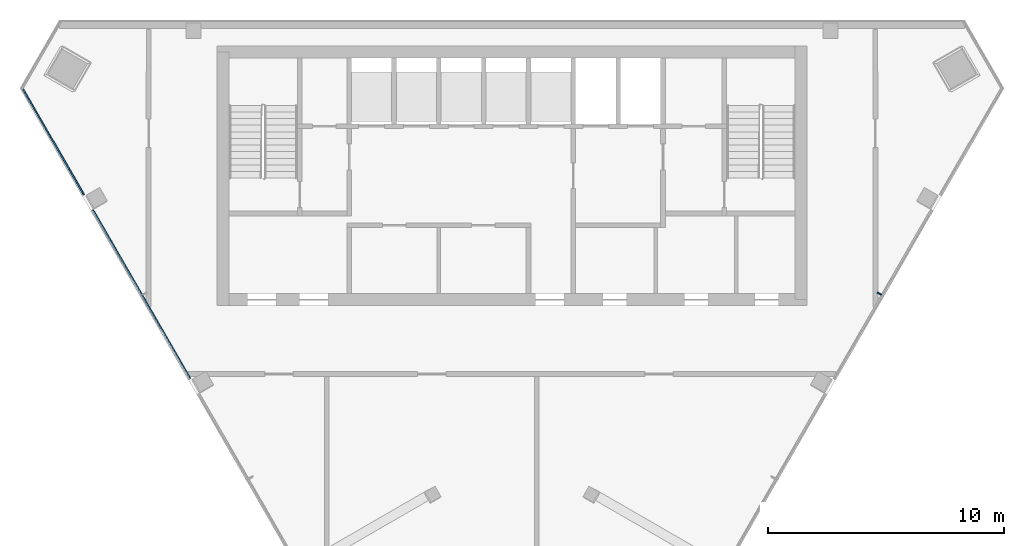
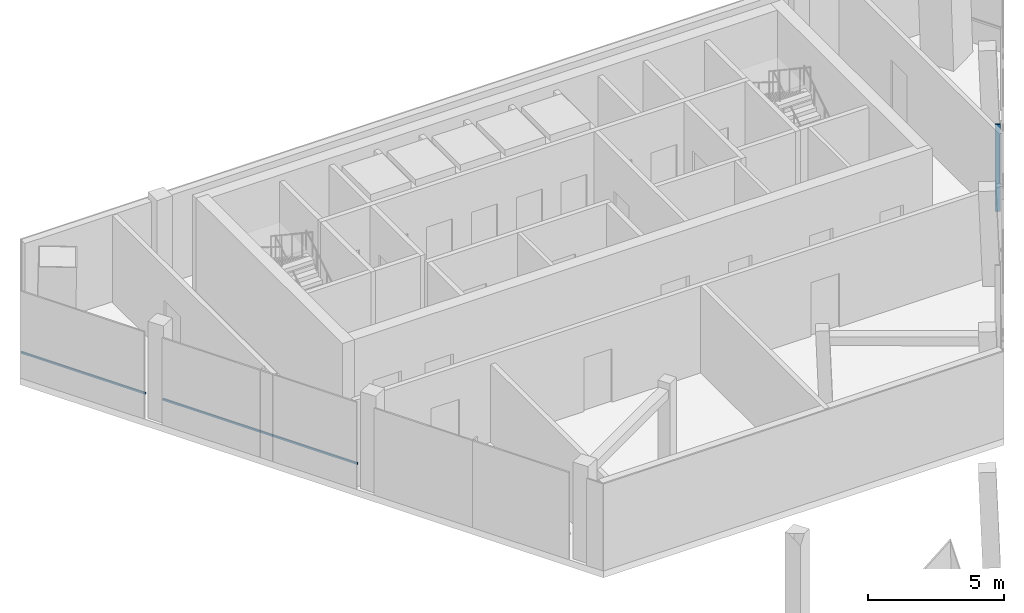
# One storey, part 3 of 8: 3 members, 2 elements without a shape of their own.
"""IFC4 building model written with IfcOpenShell, lengths in metres."""

from ifc_helpers import new_model, si_unit, direction, frame, origin, origin_2d, place, context, subcontext, project, spatial, rectangle, extrude, material, layer, layer_set, material_profile, profile_set, type_object, element, aggregate, save


model = new_model("IFC4")

# Units and contexts
model_context = context("Model", 3, precision=1e-05, world=origin(), true_north=direction((0.0, 1.0)))
body_context = subcontext(model_context, "Body", "Model", "MODEL_VIEW")
ifc_project = project(units=[si_unit("LENGTHUNIT", "METRE"), si_unit("AREAUNIT", "SQUARE_METRE"), si_unit("VOLUMEUNIT", "CUBIC_METRE"), si_unit("PLANEANGLEUNIT", "RADIAN"), si_unit("MASSUNIT", "GRAM", prefix="KILO")], contexts=[model_context])

# Site, building, storey
site_placement = place(None, origin())
site = spatial("IfcSite", under=ifc_project, at=site_placement, CompositionType="ELEMENT")
building_placement = place(site_placement, origin())
building = spatial("IfcBuilding", under=site, at=building_placement, Name="Altiplano Prism Tower", CompositionType="ELEMENT")
storey_placement = place(building_placement, frame((0.0, 0.0, 338.800048828125)))
storey = spatial("IfcBuildingStorey", under=building, at=storey_placement, Name="L88", CompositionType="ELEMENT", Elevation=338.800048828125)

# Curtain wall, member
ifc_material_1 = material(Name="Aluminium and glass", Category="aluminium")
ifc_layer = layer(ifc_material_1, 0.320068359375)
ifc_layer_set = layer_set([ifc_layer], Name="Aluminium and glass")
curtain_wall_type = type_object("IfcCurtainWallType", Name="CW6 louvred plant-floor curtain wall", PredefinedType="NOTDEFINED", material=ifc_layer_set)
curtain_wall_1_placement = place(storey_placement, origin())
curtain_wall_1 = element("IfcCurtainWall", 1, at=curtain_wall_1_placement, inside=storey, type_object=curtain_wall_type, Name="CW6 curtain wall south-east face L88", PredefinedType="NOTDEFINED")
ifc_material_2 = material(Name="Aluminium", Category="aluminium")
ifc_material_profile_1 = material_profile(ifc_material_2, rectangle(XDim=0.199951171875, YDim=0.06005859375, at=origin_2d()), Name="CW6 mullion 60 x 200")
ifc_profile_set_1 = profile_set([ifc_material_profile_1], Name="Aluminium")
member_type_1 = type_object("IfcMemberType", Name="CW6 mullion 60 x 200", PredefinedType="MULLION", material=ifc_profile_set_1)
member_1_placement = place(storey_placement, frame((100.568115234375, 93.40380859375, 0.0), z_axis=(0.0, 0.0, 1.0), x_axis=(-0.866025403304, 0.500000000831, 0.0)))
member_1 = element("IfcMember", 2, at=member_1_placement, type_object=member_type_1, Name="CW6 mullion", PredefinedType="MULLION", context=body_context, shape_type="SweptSolid", body=[
    extrude(rectangle(XDim=0.199951171875, YDim=0.06005859375, at=origin_2d()), origin(), (0.0, 0.0, 1.0), 3.89990234375),
])
aggregate(curtain_wall_1, [member_1])

# Curtain wall, members
curtain_wall_2_placement = place(storey_placement, origin())
curtain_wall_2 = element("IfcCurtainWall", 3, at=curtain_wall_2_placement, inside=storey, type_object=curtain_wall_type, Name="CW6 curtain wall south-west face L88", PredefinedType="NOTDEFINED")
ifc_material_profile_2 = material_profile(ifc_material_2, rectangle(XDim=0.06005859375, YDim=0.080078125, at=origin_2d()), Name="CW6 transom 80 x 60")
ifc_profile_set_2 = profile_set([ifc_material_profile_2], Name="Aluminium")
member_type_2 = type_object("IfcMemberType", Name="CW6 transom 80 x 60", PredefinedType="USERDEFINED", material=ifc_profile_set_2)
member_2_placement = place(storey_placement, frame((64.2275390625, 102.157958984375, 1.099853515625), z_axis=(0.500014132739, -0.86601724409, 0.0), x_axis=(0.86601724409, 0.500014132739, 0.0)))
member_2 = element("IfcMember", 4, at=member_2_placement, type_object=member_type_2, Name="CW6 transom", ObjectType="TRANSOM", PredefinedType="USERDEFINED", context=body_context, shape_type="SweptSolid", body=[
    extrude(rectangle(XDim=0.06005859375, YDim=0.080078125, at=origin_2d()), origin(), (0.0, 0.0, 1.0), 5.264892578125),
])
member_3_placement = place(storey_placement, frame((67.232177734375, 96.9541015625, 1.099853515625), z_axis=(0.499980985926, -0.866036381287, 0.0), x_axis=(0.866036381287, 0.499980985926, 0.0)))
member_3 = element("IfcMember", 5, at=member_3_placement, type_object=member_type_2, Name="CW6 transom", ObjectType="TRANSOM", PredefinedType="USERDEFINED", context=body_context, shape_type="SweptSolid", body=[
    extrude(rectangle(XDim=0.06005859375, YDim=0.080078125, at=origin_2d()), origin(), (0.0, 0.0, 1.0), 8.256103515625),
])
aggregate(curtain_wall_2, [member_2, member_3])

save(model, "model.ifc")
